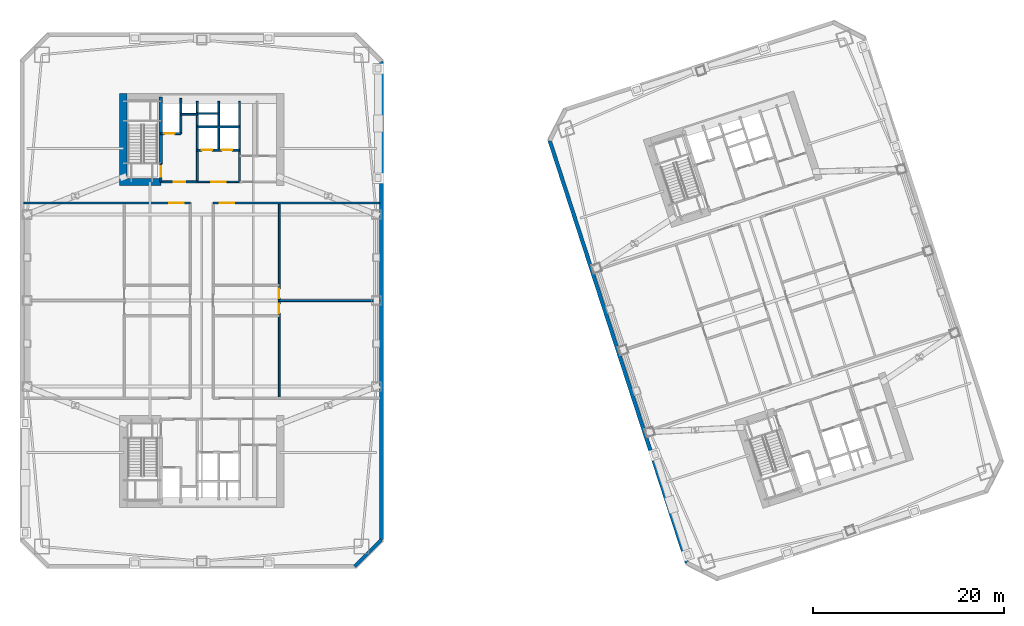
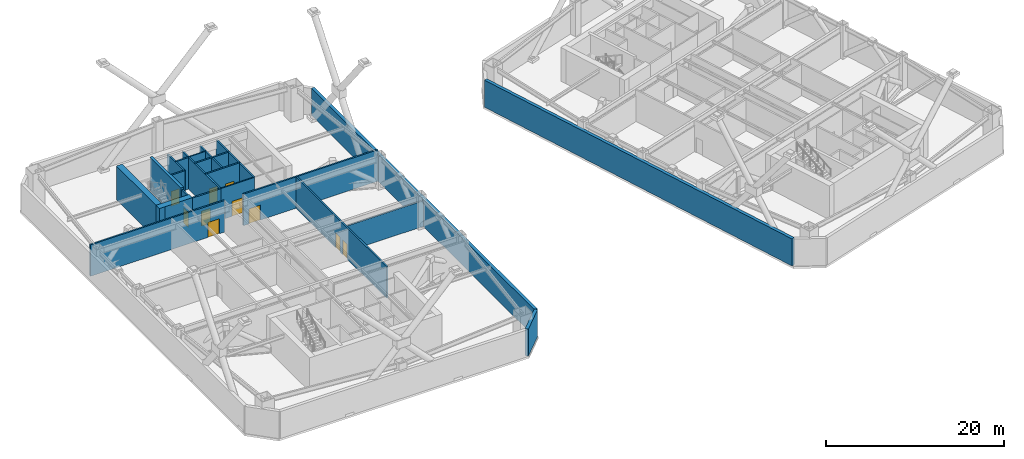
# One storey, part 13 of 19: 22 walls, 10 doors, 10 openings.
"""IFC4 building model written with IfcOpenShell, lengths in metres."""

from ifc_helpers import new_model, si_unit, direction, frame, frame_2d, origin, place, context, subcontext, project, spatial, rectangle, extrude, material, layer, layer_set, type_object, element, fill, save


model = new_model("IFC4")

# Units and contexts
model_context = context("Model", 3, precision=1e-05, world=origin(), true_north=direction((0.0, 1.0)))
body_context = subcontext(model_context, "Body", "Model", "MODEL_VIEW")
ifc_project = project(units=[si_unit("LENGTHUNIT", "METRE"), si_unit("AREAUNIT", "SQUARE_METRE"), si_unit("VOLUMEUNIT", "CUBIC_METRE"), si_unit("PLANEANGLEUNIT", "RADIAN"), si_unit("MASSUNIT", "GRAM", prefix="KILO")], contexts=[model_context])

# Site, building, storey
site_placement = place(None, origin())
site = spatial("IfcSite", under=ifc_project, at=site_placement, CompositionType="ELEMENT")
building_placement = place(site_placement, origin())
building = spatial("IfcBuilding", under=site, at=building_placement, Name="Qiaolan Cultural Towers", CompositionType="ELEMENT")
storey_placement = place(building_placement, frame((0.0, 0.0, 92.0)))
storey = spatial("IfcBuildingStorey", under=building, at=storey_placement, Name="L23", CompositionType="ELEMENT", Elevation=92.0)

# Walls
ifc_material_1 = material(Name="Concrete C50", Category="concrete")
ifc_layer_1 = layer(ifc_material_1, 0.35009765625)
ifc_layer_set_1 = layer_set([ifc_layer_1], Name="Concrete C50")
wall_type_1 = type_object("IfcWallType", Name="WL-CORE-350", PredefinedType="SHEAR", material=ifc_layer_set_1)
wall_1_placement = place(storey_placement, frame((25.719970703125, 48.300048828125, 0.0), z_axis=(0.0, 0.0, 1.0), x_axis=(0.0, 1.0, 0.0)))
element("IfcWall", 1, at=wall_1_placement, inside=storey, type_object=wall_type_1, Name="L23 T1-CN Stair Core Dividing Web", PredefinedType="SHEAR", context=body_context, shape_type="SweptSolid", body=[
    extrude(rectangle(XDim=6.97998046875, YDim=0.35009765625, at=frame_2d((3.489990234375, 0.0))), origin(), (0.0, 0.0, 1.0), 4.60009765625),
])
ifc_material_2 = material(Name="Concrete C60", Category="concrete")
ifc_layer_2 = layer(ifc_material_2, 0.75)
ifc_layer_set_2 = layer_set([ifc_layer_2], Name="Concrete C60")
wall_type_2 = type_object("IfcWallType", Name="WL-CORE-750", PredefinedType="SHEAR", material=ifc_layer_set_2)
wall_2_placement = place(storey_placement, frame((21.800048828125, 46.02490234375, 0.0), z_axis=(0.0, 0.0, 1.0), x_axis=(0.0, 1.0, 0.0)))
element("IfcWall", 2, at=wall_2_placement, inside=storey, type_object=wall_type_2, Name="L23 T1-CN West Core Shear Wall", PredefinedType="SHEAR", context=body_context, shape_type="SweptSolid", body=[
    extrude(rectangle(XDim=9.630126953125, YDim=0.75, at=frame_2d((4.81494140625, 0.0))), origin(), (0.0, 0.0, 1.0), 4.60009765625),
])
wall_3_placement = place(storey_placement, frame((21.425048828125, 46.39990234375, 0.0), z_axis=(0.0, 0.0, 1.0), x_axis=(1.0, 0.0, 0.0)))
element("IfcWall", 3, at=wall_3_placement, inside=storey, type_object=wall_type_2, Name="L23 T1-CN Stair Front Shear Wall", PredefinedType="SHEAR", context=body_context, shape_type="SweptSolid", body=[
    extrude(rectangle(XDim=4.294921875, YDim=0.75, at=frame_2d((2.1474609375, 0.0))), origin(), (0.0, 0.0, 1.0), 4.60009765625),
])
ifc_material_3 = material(Name="Precast Concrete C50 Honed Stone Pier", Category="masonry")
ifc_layer_3 = layer(ifc_material_3, 0.39990234375)
ifc_layer_set_3 = layer_set([ifc_layer_3], Name="Precast Concrete C50 Honed Stone Pier")
wall_type_3 = type_object("IfcWallType", Name="WL-EXT-PIER-400", PredefinedType="SOLIDWALL", material=ifc_layer_set_3)
wall_4_placement = place(storey_placement, frame((48.800048828125, 59.0, 0.0), z_axis=(0.0, 0.0, 1.0), x_axis=(0.0, -1.0, 0.0)))
element("IfcWall", 4, at=wall_4_placement, inside=storey, type_object=wall_type_3, Name="L23 West Tower Precast Pier Facade Wall F5", PredefinedType="SOLIDWALL", context=body_context, shape_type="SweptSolid", body=[
    extrude(rectangle(XDim=50.0, YDim=0.39990234375, at=frame_2d((25.0, 0.0))), origin(), (0.0, 0.0, 1.0), 3.699951171875),
])
wall_5_placement = place(storey_placement, frame((48.800048828125, 9.0, 0.0), z_axis=(0.0, 0.0, 1.0), x_axis=(-0.707106781187, -0.707106781187, 0.0)))
element("IfcWall", 5, at=wall_5_placement, inside=storey, type_object=wall_type_3, Name="L23 West Tower Precast Pier Facade Wall F6", PredefinedType="SOLIDWALL", context=body_context, shape_type="SweptSolid", body=[
    extrude(rectangle(XDim=3.9599609375, YDim=0.39990234375, at=frame_2d((1.97998046875, 0.0))), origin(), (0.0, 0.0, 1.0), 3.699951171875),
])
wall_6_placement = place(storey_placement, frame((80.7158203125, 6.589599609375, 0.0), z_axis=(0.0, 0.0, 1.0), x_axis=(-0.309017542002, 0.95105633836, 0.0)))
element("IfcWall", 6, at=wall_6_placement, inside=storey, type_object=wall_type_3, Name="L23 East Tower Precast Pier Facade Wall F1", PredefinedType="SOLIDWALL", context=body_context, shape_type="SweptSolid", body=[
    extrude(rectangle(XDim=46.39990234375, YDim=0.39990234375, at=frame_2d((23.199951171875, 0.0))), origin(), (0.0, 0.0, 1.0), 3.699951171875),
])

# Wall, opening, door
ifc_material_4 = material(Name="Concrete C35 Fire Wall", Category="concrete")
ifc_layer_4 = layer(ifc_material_4, 0.199951171875)
ifc_layer_set_4 = layer_set([ifc_layer_4], Name="Concrete C35 Fire Wall")
wall_type_4 = type_object("IfcWallType", Name="WL-FIRE-200", PredefinedType="PARTITIONING", material=ifc_layer_set_4)
wall_7_placement = place(storey_placement, frame((25.719970703125, 46.39990234375, 0.0), z_axis=(0.0, 0.0, 1.0), x_axis=(0.0, 1.0, 0.0)))
wall_7 = element("IfcWall", 7, at=wall_7_placement, inside=storey, type_object=wall_type_4, Name="L23 T1-CN Smokeproof Stair Entry Wall", PredefinedType="PARTITIONING", context=body_context, shape_type="SweptSolid", body=[
    extrude(rectangle(XDim=1.900146484375, YDim=0.199951171875, at=frame_2d((0.9501953125, 0.0))), origin(), (0.0, 0.0, 1.0), 4.304931640625),
])
opening_1_placement = place(wall_7_placement, frame((0.52001953125, 0.0, 0.0)))
opening_1 = element("IfcOpeningElement", 8, at=opening_1_placement, cuts=wall_7, Name="Opening FD-04", PredefinedType="OPENING", context=body_context, shape_type="SweptSolid", body=[
    extrude(rectangle(XDim=1.10009765625, YDim=2.050048828125, at=frame_2d((0.550048828125, 1.02490234375))), frame((0.0, 0.10986328125, 0.0), z_axis=(0.0, -1.0, 0.0), x_axis=(1.0, 0.0, 0.0)), (0.0, 0.0, 1.0), 0.219970703125),
])
ifc_material_5 = material(Name="Galvanized Steel Command Fire Door", Category="steel")
door_type_1 = type_object("IfcDoorType", Name="DR-FD90-1100", OperationType="NOTDEFINED", PredefinedType="DOOR", material=ifc_material_5)
door_1_placement = place(opening_1_placement, origin())
door_1 = element("IfcDoor", 9, at=door_1_placement, inside=storey, type_object=door_type_1, Name="L23 ST-W2 Smokeproof Stair Fire Door", OperationType="SINGLE_SWING_LEFT", OverallHeight=2.050048828125, OverallWidth=1.10009765625, PredefinedType="DOOR", context=body_context, shape_type="SweptSolid", body=[
    extrude(rectangle(XDim=1.10009765625, YDim=2.050048828125, at=frame_2d((0.550048828125, 1.02490234375))), frame((0.0, 0.02490234375, 0.0), z_axis=(0.0, -1.0, 0.0), x_axis=(1.0, 0.0, 0.0)), (0.0, 0.0, 1.0), 0.050048828125),
])
fill(opening_1, door_1)

# Wall
wall_8_placement = place(storey_placement, frame((29.550048828125, 46.39990234375, 0.0), z_axis=(0.0, 0.0, 1.0), x_axis=(0.0, 1.0, 0.0)))
element("IfcWall", 10, at=wall_8_placement, inside=storey, type_object=wall_type_4, Name="L23 T1-CN Firefighting Zone Wall", PredefinedType="PARTITIONING", context=body_context, shape_type="SweptSolid", body=[
    extrude(rectangle(XDim=8.43017578125, YDim=0.199951171875, at=frame_2d((4.215087890625, 0.0))), origin(), (0.0, 0.0, 1.0), 4.304931640625),
])

# Wall, opening, door
wall_9_placement = place(storey_placement, frame((25.719970703125, 46.39990234375, 0.0), z_axis=(0.0, 0.0, 1.0), x_axis=(1.0, 0.0, 0.0)))
wall_9 = element("IfcWall", 11, at=wall_9_placement, inside=storey, type_object=wall_type_4, Name="L23 T1-CN Firefighting Lobby Front Wall", PredefinedType="PARTITIONING", context=body_context, shape_type="SweptSolid", body=[
    extrude(rectangle(XDim=3.830078125, YDim=0.199951171875, at=frame_2d((1.9150390625, 0.0))), origin(), (0.0, 0.0, 1.0), 4.304931640625),
])
opening_2_placement = place(wall_9_placement, frame((1.35009765625, 0.0, 0.0)))
opening_2 = element("IfcOpeningElement", 12, at=opening_2_placement, cuts=wall_9, Name="Opening FD-03", PredefinedType="OPENING", context=body_context, shape_type="SweptSolid", body=[
    extrude(rectangle(XDim=1.199951171875, YDim=2.050048828125, at=frame_2d((0.60009765625, 1.02490234375))), frame((0.0, 0.10986328125, 0.0), z_axis=(0.0, -1.0, 0.0), x_axis=(1.0, 0.0, 0.0)), (0.0, 0.0, 1.0), 0.219970703125),
])
ifc_material_6 = material(Name="Galvanized Steel Smokeproof Lobby Fire Door", Category="steel")
door_type_2 = type_object("IfcDoorType", Name="DR-FD90-1200", OperationType="NOTDEFINED", PredefinedType="DOOR", material=ifc_material_6)
door_2_placement = place(opening_2_placement, origin())
door_2 = element("IfcDoor", 13, at=door_2_placement, inside=storey, type_object=door_type_2, Name="L23 FFL-W2 Firefighting Lobby Fire Door", OperationType="SINGLE_SWING_LEFT", OverallHeight=2.050048828125, OverallWidth=1.199951171875, PredefinedType="DOOR", context=body_context, shape_type="SweptSolid", body=[
    extrude(rectangle(XDim=1.199951171875, YDim=2.050048828125, at=frame_2d((0.60009765625, 1.02490234375))), frame((0.0, 0.02490234375, 0.0), z_axis=(0.0, -1.0, 0.0), x_axis=(1.0, 0.0, 0.0)), (0.0, 0.0, 1.0), 0.050048828125),
])
fill(opening_2, door_2)

wall_10_placement = place(storey_placement, frame((25.719970703125, 51.449951171875, 0.0), z_axis=(0.0, 0.0, 1.0), x_axis=(1.0, 0.0, 0.0)))
wall_10 = element("IfcWall", 14, at=wall_10_placement, inside=storey, type_object=wall_type_4, Name="L23 T1-CN Firefighting Shaft Front Wall", PredefinedType="PARTITIONING", context=body_context, shape_type="SweptSolid", body=[
    extrude(rectangle(XDim=2.10009765625, YDim=0.199951171875, at=frame_2d((1.050048828125, 0.0))), origin(), (0.0, 0.0, 1.0), 4.304931640625),
])
opening_3_placement = place(wall_10_placement, frame((0.35009765625, 0.0, 0.0)))
opening_3 = element("IfcOpeningElement", 15, at=opening_3_placement, cuts=wall_10, Name="Opening LD-01", PredefinedType="OPENING", context=body_context, shape_type="SweptSolid", body=[
    extrude(rectangle(XDim=1.10009765625, YDim=2.050048828125, at=frame_2d((0.550048828125, 1.02490234375))), frame((0.0, 0.10986328125, 0.0), z_axis=(0.0, -1.0, 0.0), x_axis=(1.0, 0.0, 0.0)), (0.0, 0.0, 1.0), 0.219970703125),
])
ifc_material_7 = material(Name="Brushed Stainless Steel S30408 Centre-Parting Lift Landing Door", Category="steel")
door_type_3 = type_object("IfcDoorType", Name="DR-LIFT-1100", OperationType="NOTDEFINED", PredefinedType="DOOR", material=ifc_material_7)
door_3_placement = place(opening_3_placement, origin())
door_3 = element("IfcDoor", 16, at=door_3_placement, inside=storey, type_object=door_type_3, Name="L23 FFL-W2 Firefighting Lift Landing Door", OperationType="DOUBLE_DOOR_SLIDING", OverallHeight=2.050048828125, OverallWidth=1.10009765625, PredefinedType="DOOR", context=body_context, shape_type="SweptSolid", body=[
    extrude(rectangle(XDim=1.10009765625, YDim=2.050048828125, at=frame_2d((0.550048828125, 1.02490234375))), frame((0.0, 0.02490234375, 0.0), z_axis=(0.0, -1.0, 0.0), x_axis=(1.0, 0.0, 0.0)), (0.0, 0.0, 1.0), 0.050048828125),
])
fill(opening_3, door_3)

# Walls
wall_11_placement = place(storey_placement, frame((27.820068359375, 51.449951171875, 0.0), z_axis=(0.0, 0.0, 1.0), x_axis=(0.0, 1.0, 0.0)))
element("IfcWall", 17, at=wall_11_placement, inside=storey, type_object=wall_type_4, Name="L23 T1-CN Firefighting Hoistway East Wall", PredefinedType="PARTITIONING", context=body_context, shape_type="SweptSolid", body=[
    extrude(rectangle(XDim=3.699951171875, YDim=0.199951171875, at=frame_2d((1.85009765625, 0.0))), origin(), (0.0, 0.0, 1.0), 4.304931640625),
])
wall_12_placement = place(storey_placement, frame((27.820068359375, 53.47998046875, 0.0), z_axis=(0.0, 0.0, 1.0), x_axis=(1.0, 0.0, 0.0)))
element("IfcWall", 18, at=wall_12_placement, inside=storey, type_object=wall_type_4, Name="L23 T1-CN Pressurization Shaft Front Wall", PredefinedType="PARTITIONING", context=body_context, shape_type="SweptSolid", body=[
    extrude(rectangle(XDim=1.72998046875, YDim=0.199951171875, at=frame_2d((0.864990234375, 0.0))), origin(), (0.0, 0.0, 1.0), 4.304931640625),
])
wall_13_placement = place(storey_placement, frame((33.949951171875, 46.39990234375, 0.0), z_axis=(0.0, 0.0, 1.0), x_axis=(0.0, 1.0, 0.0)))
element("IfcWall", 19, at=wall_13_placement, inside=storey, type_object=wall_type_4, Name="L23 T1-CN Lift Core East Wall", PredefinedType="PARTITIONING", context=body_context, shape_type="SweptSolid", body=[
    extrude(rectangle(XDim=8.43017578125, YDim=0.199951171875, at=frame_2d((4.215087890625, 0.0))), origin(), (0.0, 0.0, 1.0), 4.304931640625),
])

# Wall, openings, doors
wall_14_placement = place(storey_placement, frame((29.550048828125, 49.719970703125, 0.0), z_axis=(0.0, 0.0, 1.0), x_axis=(1.0, 0.0, 0.0)))
wall_14 = element("IfcWall", 20, at=wall_14_placement, inside=storey, type_object=wall_type_4, Name="L23 T1-CN Passenger Lift Shaft Front Wall", PredefinedType="PARTITIONING", context=body_context, shape_type="SweptSolid", body=[
    extrude(rectangle(XDim=4.39990234375, YDim=0.199951171875, at=frame_2d((2.199951171875, 0.0))), origin(), (0.0, 0.0, 1.0), 4.304931640625),
])
opening_4_placement = place(wall_14_placement, frame((0.449951171875, 0.0, 0.0)))
opening_4 = element("IfcOpeningElement", 21, at=opening_4_placement, cuts=wall_14, Name="Opening LD-01", PredefinedType="OPENING", context=body_context, shape_type="SweptSolid", body=[
    extrude(rectangle(XDim=1.10009765625, YDim=2.050048828125, at=frame_2d((0.550048828125, 1.02490234375))), frame((0.0, 0.10986328125, 0.0), z_axis=(0.0, -1.0, 0.0), x_axis=(1.0, 0.0, 0.0)), (0.0, 0.0, 1.0), 0.219970703125),
])
opening_5_placement = place(wall_14_placement, frame((2.550048828125, 0.0, 0.0)))
opening_5 = element("IfcOpeningElement", 22, at=opening_5_placement, cuts=wall_14, Name="Opening LD-01", PredefinedType="OPENING", context=body_context, shape_type="SweptSolid", body=[
    extrude(rectangle(XDim=1.10009765625, YDim=2.050048828125, at=frame_2d((0.550048828125, 1.02490234375))), frame((0.0, 0.10986328125, 0.0), z_axis=(0.0, -1.0, 0.0), x_axis=(1.0, 0.0, 0.0)), (0.0, 0.0, 1.0), 0.219970703125),
])
door_4_placement = place(opening_4_placement, origin())
door_4 = element("IfcDoor", 23, at=door_4_placement, inside=storey, type_object=door_type_3, Name="L23 Passenger Lift 1 Landing Door", OperationType="DOUBLE_DOOR_SLIDING", OverallHeight=2.050048828125, OverallWidth=1.10009765625, PredefinedType="DOOR", context=body_context, shape_type="SweptSolid", body=[
    extrude(rectangle(XDim=1.10009765625, YDim=2.050048828125, at=frame_2d((0.550048828125, 1.02490234375))), frame((0.0, 0.02490234375, 0.0), z_axis=(0.0, -1.0, 0.0), x_axis=(1.0, 0.0, 0.0)), (0.0, 0.0, 1.0), 0.050048828125),
])
fill(opening_4, door_4)
door_5_placement = place(opening_5_placement, origin())
door_5 = element("IfcDoor", 24, at=door_5_placement, inside=storey, type_object=door_type_3, Name="L23 Passenger Lift 2 Landing Door", OperationType="DOUBLE_DOOR_SLIDING", OverallHeight=2.050048828125, OverallWidth=1.10009765625, PredefinedType="DOOR", context=body_context, shape_type="SweptSolid", body=[
    extrude(rectangle(XDim=1.10009765625, YDim=2.050048828125, at=frame_2d((0.550048828125, 1.02490234375))), frame((0.0, 0.02490234375, 0.0), z_axis=(0.0, -1.0, 0.0), x_axis=(1.0, 0.0, 0.0)), (0.0, 0.0, 1.0), 0.050048828125),
])
fill(opening_5, door_5)

# Walls
wall_15_placement = place(storey_placement, frame((31.780029296875, 49.719970703125, 0.0), z_axis=(0.0, 0.0, 1.0), x_axis=(0.0, 1.0, 0.0)))
element("IfcWall", 25, at=wall_15_placement, inside=storey, type_object=wall_type_4, Name="L23 T1-CN Lift Shaft Divider Wall", PredefinedType="PARTITIONING", context=body_context, shape_type="SweptSolid", body=[
    extrude(rectangle(XDim=5.110107421875, YDim=0.199951171875, at=frame_2d((2.55517578125, 0.0))), origin(), (0.0, 0.0, 1.0), 4.304931640625),
])
wall_16_placement = place(storey_placement, frame((29.550048828125, 52.14990234375, 0.0), z_axis=(0.0, 0.0, 1.0), x_axis=(1.0, 0.0, 0.0)))
element("IfcWall", 26, at=wall_16_placement, inside=storey, type_object=wall_type_4, Name="L23 T1-CN Passenger Lift Shaft Back Wall", PredefinedType="PARTITIONING", context=body_context, shape_type="SweptSolid", body=[
    extrude(rectangle(XDim=4.39990234375, YDim=0.199951171875, at=frame_2d((2.199951171875, 0.0))), origin(), (0.0, 0.0, 1.0), 4.304931640625),
])

# Wall, opening, door
wall_17_placement = place(storey_placement, frame((11.39990234375, 44.199951171875, 0.0), z_axis=(0.0, 0.0, 1.0), x_axis=(1.0, 0.0, 0.0)))
wall_17 = element("IfcWall", 27, at=wall_17_placement, inside=storey, type_object=wall_type_4, Name="L23 T1 Fire Rated Plant/Refuge Wall NBW", PredefinedType="PARTITIONING", context=body_context, shape_type="SweptSolid", body=[
    extrude(rectangle(XDim=17.400146484375, YDim=0.199951171875, at=frame_2d((8.7001953125, 0.0))), origin(), (0.0, 0.0, 1.0), 4.304931640625),
])
opening_6_placement = place(wall_17_placement, frame((15.199951171875, 0.0, 0.0)))
opening_6 = element("IfcOpeningElement", 28, at=opening_6_placement, cuts=wall_17, Name="Opening FD-02", PredefinedType="OPENING", context=body_context, shape_type="SweptSolid", body=[
    extrude(rectangle(XDim=1.5, YDim=2.050048828125, at=frame_2d((0.75, 1.02490234375))), frame((0.0, 0.10986328125, 0.0), z_axis=(0.0, -1.0, 0.0), x_axis=(1.0, 0.0, 0.0)), (0.0, 0.0, 1.0), 0.219970703125),
])
ifc_material_8 = material(Name="Galvanized Steel Double Fire Door", Category="steel")
door_type_4 = type_object("IfcDoorType", Name="DR-FD90-1500", OperationType="NOTDEFINED", PredefinedType="DOOR", material=ifc_material_8)
door_6_placement = place(opening_6_placement, origin())
door_6 = element("IfcDoor", 29, at=door_6_placement, inside=storey, type_object=door_type_4, Name="L23 T1 West North Refuge Fire Door", OperationType="SINGLE_SWING_LEFT", OverallHeight=2.050048828125, OverallWidth=1.5, PredefinedType="DOOR", context=body_context, shape_type="SweptSolid", body=[
    extrude(rectangle(XDim=1.5, YDim=2.050048828125, at=frame_2d((0.75, 1.02490234375))), frame((0.0, 0.02490234375, 0.0), z_axis=(0.0, -1.0, 0.0), x_axis=(1.0, 0.0, 0.0)), (0.0, 0.0, 1.0), 0.050048828125),
])
fill(opening_6, door_6)

wall_18_placement = place(storey_placement, frame((31.199951171875, 44.199951171875, 0.0), z_axis=(0.0, 0.0, 1.0), x_axis=(1.0, 0.0, 0.0)))
wall_18 = element("IfcWall", 30, at=wall_18_placement, inside=storey, type_object=wall_type_4, Name="L23 T1 Fire Rated Plant/Refuge Wall NBE", PredefinedType="PARTITIONING", context=body_context, shape_type="SweptSolid", body=[
    extrude(rectangle(XDim=17.400146484375, YDim=0.199951171875, at=frame_2d((8.7001953125, 0.0))), origin(), (0.0, 0.0, 1.0), 4.304931640625),
])
opening_7_placement = place(wall_18_placement, frame((0.699951171875, 0.0, 0.0)))
opening_7 = element("IfcOpeningElement", 31, at=opening_7_placement, cuts=wall_18, Name="Opening FD-02", PredefinedType="OPENING", context=body_context, shape_type="SweptSolid", body=[
    extrude(rectangle(XDim=1.5, YDim=2.050048828125, at=frame_2d((0.75, 1.02490234375))), frame((0.0, 0.10986328125, 0.0), z_axis=(0.0, -1.0, 0.0), x_axis=(1.0, 0.0, 0.0)), (0.0, 0.0, 1.0), 0.219970703125),
])
door_7_placement = place(opening_7_placement, origin())
door_7 = element("IfcDoor", 32, at=door_7_placement, inside=storey, type_object=door_type_4, Name="L23 T1 East North Refuge Fire Door", OperationType="SINGLE_SWING_RIGHT", OverallHeight=2.050048828125, OverallWidth=1.5, PredefinedType="DOOR", context=body_context, shape_type="SweptSolid", body=[
    extrude(rectangle(XDim=1.5, YDim=2.050048828125, at=frame_2d((0.75, 1.02490234375))), frame((0.0, 0.02490234375, 0.0), z_axis=(0.0, -1.0, 0.0), x_axis=(1.0, 0.0, 0.0)), (0.0, 0.0, 1.0), 0.050048828125),
])
fill(opening_7, door_7)

# Wall, openings, doors
wall_19_placement = place(storey_placement, frame((38.10009765625, 23.800048828125, 0.0), z_axis=(0.0, 0.0, 1.0), x_axis=(0.0, 1.0, 0.0)))
wall_19 = element("IfcWall", 33, at=wall_19_placement, inside=storey, type_object=wall_type_4, Name="L23 T1 Fire Rated Plant/Refuge Wall ER", PredefinedType="PARTITIONING", context=body_context, shape_type="SweptSolid", body=[
    extrude(rectangle(XDim=20.39990234375, YDim=0.199951171875, at=frame_2d((10.199951171875, 0.0))), origin(), (0.0, 0.0, 1.0), 4.304931640625),
])
opening_8_placement = place(wall_19_placement, frame((8.85009765625, 0.0, 0.0)))
opening_8 = element("IfcOpeningElement", 34, at=opening_8_placement, cuts=wall_19, Name="Opening FD-07", PredefinedType="OPENING", context=body_context, shape_type="SweptSolid", body=[
    extrude(rectangle(XDim=1.0, YDim=2.050048828125, at=frame_2d((0.5, 1.02490234375))), frame((0.0, 0.10986328125, 0.0), z_axis=(0.0, -1.0, 0.0), x_axis=(1.0, 0.0, 0.0)), (0.0, 0.0, 1.0), 0.219970703125),
])
opening_9_placement = place(wall_19_placement, frame((10.449951171875, 0.0, 0.0)))
opening_9 = element("IfcOpeningElement", 35, at=opening_9_placement, cuts=wall_19, Name="Opening FD-07", PredefinedType="OPENING", context=body_context, shape_type="SweptSolid", body=[
    extrude(rectangle(XDim=1.0, YDim=2.050048828125, at=frame_2d((0.5, 1.02490234375))), frame((0.0, 0.10986328125, 0.0), z_axis=(0.0, -1.0, 0.0), x_axis=(1.0, 0.0, 0.0)), (0.0, 0.0, 1.0), 0.219970703125),
])
ifc_material_9 = material(Name="Painted Steel Riser Fire Door", Category="steel")
door_type_5 = type_object("IfcDoorType", Name="DR-FD60-1000", OperationType="NOTDEFINED", PredefinedType="DOOR", material=ifc_material_9)
door_8_placement = place(opening_8_placement, origin())
door_8 = element("IfcDoor", 36, at=door_8_placement, inside=storey, type_object=door_type_5, Name="L23 T1 East AHU Plant Door", OperationType="SINGLE_SWING_LEFT", OverallHeight=2.050048828125, OverallWidth=1.0, PredefinedType="DOOR", context=body_context, shape_type="SweptSolid", body=[
    extrude(rectangle(XDim=1.0, YDim=2.050048828125, at=frame_2d((0.5, 1.02490234375))), frame((0.0, 0.02490234375, 0.0), z_axis=(0.0, -1.0, 0.0), x_axis=(1.0, 0.0, 0.0)), (0.0, 0.0, 1.0), 0.050048828125),
])
fill(opening_8, door_8)
door_9_placement = place(opening_9_placement, origin())
door_9 = element("IfcDoor", 37, at=door_9_placement, inside=storey, type_object=door_type_5, Name="L23 T1 East Electrical Substation Door", OperationType="SINGLE_SWING_RIGHT", OverallHeight=2.050048828125, OverallWidth=1.0, PredefinedType="DOOR", context=body_context, shape_type="SweptSolid", body=[
    extrude(rectangle(XDim=1.0, YDim=2.050048828125, at=frame_2d((0.5, 1.02490234375))), frame((0.0, 0.02490234375, 0.0), z_axis=(0.0, -1.0, 0.0), x_axis=(1.0, 0.0, 0.0)), (0.0, 0.0, 1.0), 0.050048828125),
])
fill(opening_9, door_9)

# Wall
wall_20_placement = place(storey_placement, frame((38.10009765625, 34.0, 0.0), z_axis=(0.0, 0.0, 1.0), x_axis=(1.0, 0.0, 0.0)))
element("IfcWall", 38, at=wall_20_placement, inside=storey, type_object=wall_type_4, Name="L23 T1 Fire Rated Plant/Refuge Wall EMID", PredefinedType="PARTITIONING", context=body_context, shape_type="SweptSolid", body=[
    extrude(rectangle(XDim=10.5, YDim=0.199951171875, at=frame_2d((5.25, 0.0))), origin(), (0.0, 0.0, 1.0), 3.514892578125),
])

# Wall, opening, door
ifc_material_10 = material(Name="Autoclaved Aerated Concrete Block B06", Category="concrete")
ifc_layer_5 = layer(ifc_material_10, 0.14990234375)
ifc_layer_set_5 = layer_set([ifc_layer_5], Name="Autoclaved Aerated Concrete Block B06")
wall_type_5 = type_object("IfcWallType", Name="WL-PART-150", PredefinedType="PARTITIONING", material=ifc_layer_set_5)
wall_21_placement = place(storey_placement, frame((29.550048828125, 46.39990234375, 0.0), z_axis=(0.0, 0.0, 1.0), x_axis=(1.0, 0.0, 0.0)))
wall_21 = element("IfcWall", 39, at=wall_21_placement, inside=storey, type_object=wall_type_5, Name="L23 T1-CN Passenger Lift Lobby Front Wall", PredefinedType="PARTITIONING", context=body_context, shape_type="SweptSolid", body=[
    extrude(rectangle(XDim=4.39990234375, YDim=0.14990234375, at=frame_2d((2.199951171875, 0.0))), origin(), (0.0, 0.0, 1.0), 4.304931640625),
])
opening_10_placement = place(wall_21_placement, frame((1.449951171875, 0.0, 0.0)))
opening_10 = element("IfcOpeningElement", 40, at=opening_10_placement, cuts=wall_21, Name="Opening FD-05", PredefinedType="OPENING", context=body_context, shape_type="SweptSolid", body=[
    extrude(rectangle(XDim=1.5, YDim=2.050048828125, at=frame_2d((0.75, 1.02490234375))), frame((0.0, 0.0849609375, 0.0), z_axis=(0.0, -1.0, 0.0), x_axis=(1.0, 0.0, 0.0)), (0.0, 0.0, 1.0), 0.169921875),
])
ifc_material_11 = material(Name="Painted Steel Lift Lobby Fire Door", Category="steel")
door_type_6 = type_object("IfcDoorType", Name="DR-FD60-1500", OperationType="NOTDEFINED", PredefinedType="DOOR", material=ifc_material_11)
door_10_placement = place(opening_10_placement, origin())
door_10 = element("IfcDoor", 41, at=door_10_placement, inside=storey, type_object=door_type_6, Name="L23 Passenger Lift Lobby Entrance", OperationType="SINGLE_SWING_LEFT", OverallHeight=2.050048828125, OverallWidth=1.5, PredefinedType="DOOR", context=body_context, shape_type="SweptSolid", body=[
    extrude(rectangle(XDim=1.5, YDim=2.050048828125, at=frame_2d((0.75, 1.02490234375))), frame((0.0, 0.02490234375, 0.0), z_axis=(0.0, -1.0, 0.0), x_axis=(1.0, 0.0, 0.0)), (0.0, 0.0, 1.0), 0.050048828125),
])
fill(opening_10, door_10)

# Wall
wall_22_placement = place(storey_placement, frame((29.550048828125, 53.550048828125, 0.0), z_axis=(0.0, 0.0, 1.0), x_axis=(1.0, 0.0, 0.0)))
element("IfcWall", 42, at=wall_22_placement, inside=storey, type_object=wall_type_5, Name="L23 T1-CN Core Rear Riser Split", PredefinedType="PARTITIONING", context=body_context, shape_type="SweptSolid", body=[
    extrude(rectangle(XDim=2.22998046875, YDim=0.14990234375, at=frame_2d((1.114990234375, 0.0))), origin(), (0.0, 0.0, 1.0), 4.304931640625),
])

save(model, "model.ifc")
